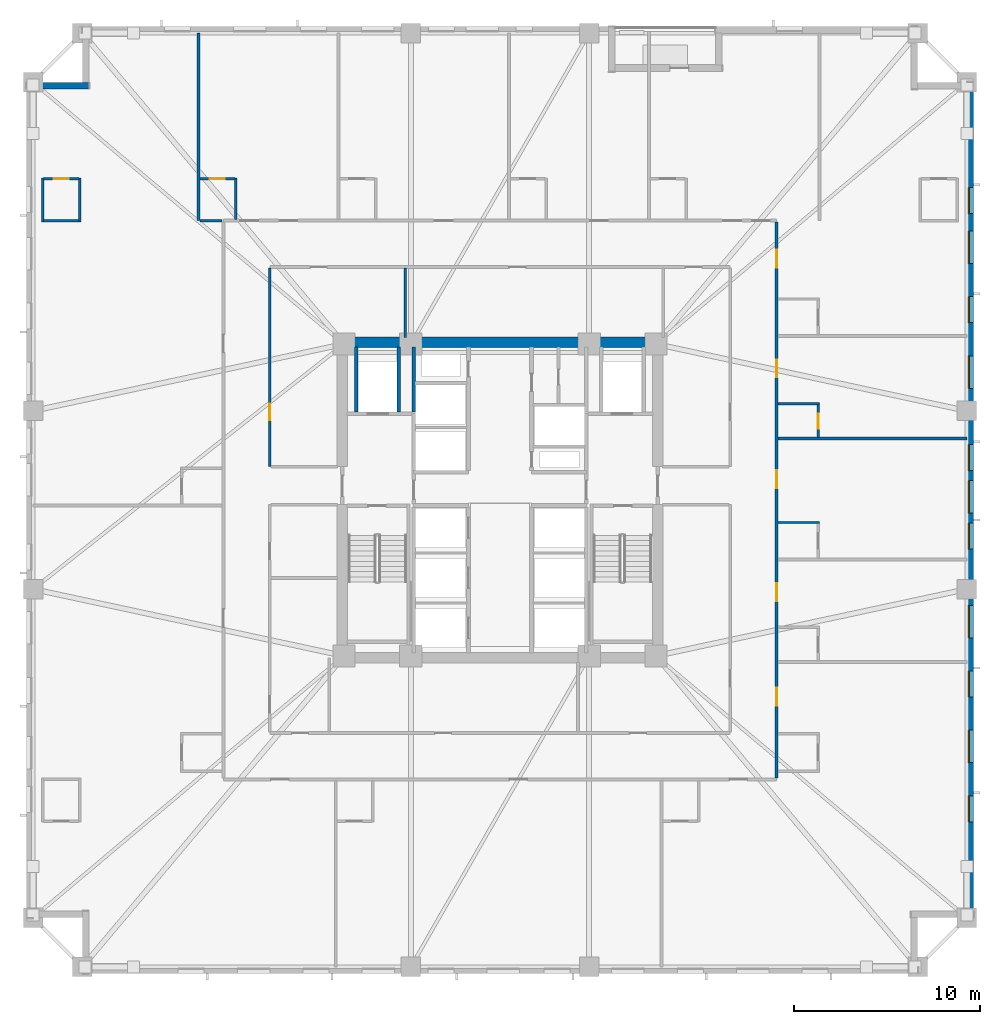
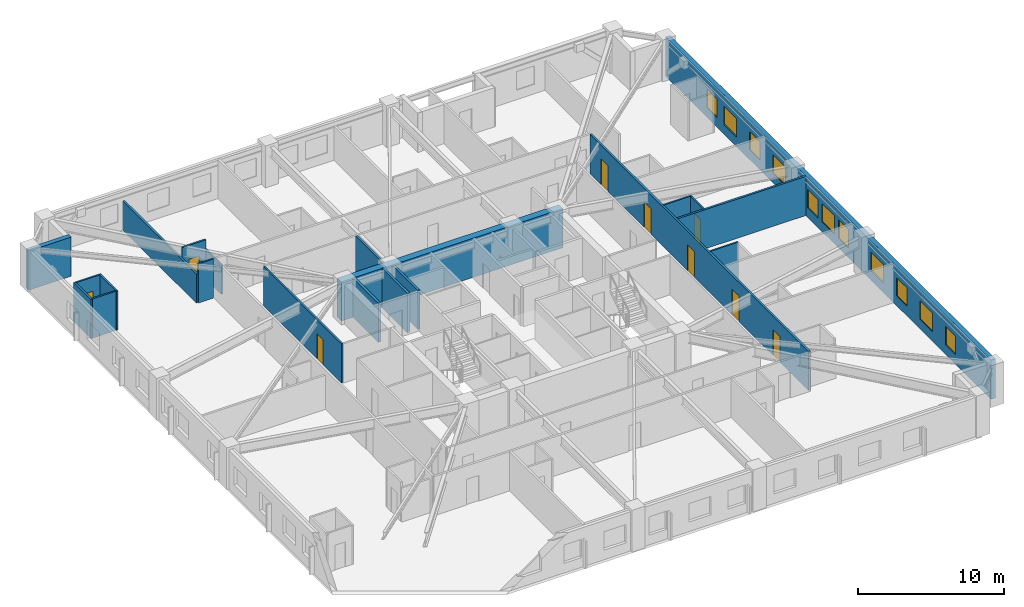
# One storey, part 5 of 12: 21 walls, 11 windows, 9 doors, 20 openings.
"""IFC4 building model written with IfcOpenShell, lengths in metres."""

import ifcopenshell
import ifcopenshell.guid

model = None  # the IFC model being written
_history = None  # IfcOwnerHistory: only IFC2X3 demands one
_inside = {}  # id of a spatial element -> (the spatial element, [elements in it])
_under = {}  # id of a project, library or spatial element -> (it, [spatial elements below it])
_declared = {}  # id of a project -> (the project, [libraries it declares])
_typed = {}  # id of a type object -> (the type object, [elements of that type])
_made_of = {}  # id of a material, layer set ... -> (it, [elements and type objects made of it])


def new_model(schema):
    """Start an empty IFC model of exactly this schema.

    Asked for "IFC4X3", IfcOpenShell would pick the latest addendum, in which some entities
    have other attributes; the version numbers below select the first issue.
    IFC2X3 requires an IfcOwnerHistory on every rooted entity: one is made here for all.
    """
    global model, _history
    if schema == "IFC4X3":
        model = ifcopenshell.file(schema_version=(4, 3, 0, 0))
    else:
        model = ifcopenshell.file(schema=schema)
    _inside.clear()
    _under.clear()
    _declared.clear()
    _typed.clear()
    _made_of.clear()
    _history = None
    if model.schema == "IFC2X3":
        org = make("IfcOrganization", Name="unknown")
        user = make(
            "IfcPersonAndOrganization",
            ThePerson=make("IfcPerson", FamilyName="unknown"),
            TheOrganization=org,
        )
        app = make(
            "IfcApplication",
            ApplicationDeveloper=org,
            Version="unknown",
            ApplicationFullName="unknown",
            ApplicationIdentifier="unknown",
        )
        _history = make(
            "IfcOwnerHistory",
            OwningUser=user,
            OwningApplication=app,
            ChangeAction="ADDED",
            CreationDate=0,
        )
    return model


def make(cls, **values):
    """One entity of the class cls with the attributes given. An attribute that is None is left unset."""
    return model.create_entity(
        cls, **{name: value for name, value in values.items() if value is not None}
    )


def rooted(cls, **values):
    """An entity with a GlobalId (a new one), such as an element, a storey or a relation."""
    return make(cls, GlobalId=ifcopenshell.guid.new(), OwnerHistory=_history, **values)


def si_unit(unit_type, name, prefix=None):
    """IfcSIUnit, for example si_unit("LENGTHUNIT", "METRE", prefix="MILLI")."""
    return make("IfcSIUnit", UnitType=unit_type, Prefix=prefix, Name=name)


def assignment(units):
    """IfcUnitAssignment: the units of a project."""
    return None if units is None else make("IfcUnitAssignment", Units=units)


def point(xyz):
    """IfcCartesianPoint."""
    return None if xyz is None else make("IfcCartesianPoint", Coordinates=xyz)


def direction(xyz):
    """IfcDirection."""
    return None if xyz is None else make("IfcDirection", DirectionRatios=xyz)


def frame(location, z_axis=None, x_axis=None):
    """IfcAxis2Placement3D, a coordinate frame: its origin and axes. An axis left out is left unset."""
    return make(
        "IfcAxis2Placement3D",
        Location=point(location),
        Axis=direction(z_axis),
        RefDirection=direction(x_axis),
    )


def frame_2d(location, x_axis=None):
    """IfcAxis2Placement2D, a coordinate frame in the plane: its origin and x axis."""
    return make(
        "IfcAxis2Placement2D", Location=point(location), RefDirection=direction(x_axis)
    )


def origin():
    """The frame at (0, 0, 0) with its axes left unset."""
    return frame((0.0, 0.0, 0.0))


def place(relative_to, where):
    """IfcLocalPlacement: puts the frame where relative to a parent placement (None: the world)."""
    return make(
        "IfcLocalPlacement", PlacementRelTo=relative_to, RelativePlacement=where
    )


def context(
    kind, dimensions, precision=None, world=None, true_north=None, identifier=None
):
    """IfcGeometricRepresentationContext, for example the 3D "Model" context."""
    return make(
        "IfcGeometricRepresentationContext",
        ContextIdentifier=identifier,
        ContextType=kind,
        CoordinateSpaceDimension=dimensions,
        Precision=precision,
        WorldCoordinateSystem=world,
        TrueNorth=true_north,
    )


def subcontext(parent, identifier, kind, view, scale=None):
    """IfcGeometricRepresentationSubContext, for example "Body" below "Model"."""
    return make(
        "IfcGeometricRepresentationSubContext",
        ContextIdentifier=identifier,
        ContextType=kind,
        ParentContext=parent,
        TargetScale=scale,
        TargetView=view,
    )


def project(units=None, contexts=None):
    """IfcProject with its units and contexts."""
    return rooted(
        "IfcProject",
        Name="project",
        RepresentationContexts=contexts,
        UnitsInContext=assignment(units),
    )


def spatial(cls, under=None, at=None, **own):
    """A site, building, storey or space (cls), placed at a placement, below another one or the project."""
    s = rooted(cls, ObjectPlacement=at, **own)
    if under is not None:
        _under.setdefault(under.id(), (under, []))[1].append(s)
    return s


def profile(cls, at=None, kind="AREA", **sizes):
    """A parametric profile (cls). Its sizes go by their IFC names, for example OverallWidth=200.0."""
    return make(cls, ProfileType=kind, Position=at, **sizes)


def rectangle(**sizes):
    """IfcRectangleProfileDef."""
    return profile("IfcRectangleProfileDef", **sizes)


def extrude(swept, where, along, depth):
    """IfcExtrudedAreaSolid: the profile swept, set in the frame where, extruded along a direction by depth."""
    return make(
        "IfcExtrudedAreaSolid",
        SweptArea=swept,
        Position=where,
        ExtrudedDirection=direction(along),
        Depth=depth,
    )


def shape(context_of_items, identifier, shape_type, items):
    """IfcShapeRepresentation: the items that make up one representation, for example the "Body"."""
    return make(
        "IfcShapeRepresentation",
        ContextOfItems=context_of_items,
        RepresentationIdentifier=identifier,
        RepresentationType=shape_type,
        Items=items,
    )


def material(Name=None, Category=None):
    """IfcMaterial."""
    return make("IfcMaterial", Name=Name, Category=Category)


def layer(
    of_material, thickness, ventilated=None, Name=None, Category=None, Priority=None
):
    """IfcMaterialLayer: one layer of a wall or slab, of a material (None: an air gap)."""
    return make(
        "IfcMaterialLayer",
        Material=of_material,
        LayerThickness=thickness,
        IsVentilated=ventilated,
        Name=Name,
        Category=Category,
        Priority=Priority,
    )


def layer_set(layers, Name=None):
    """IfcMaterialLayerSet."""
    return make("IfcMaterialLayerSet", MaterialLayers=layers, LayerSetName=Name)


def made_of(thing, what):
    """Note that an element or type object is made of a material, layer set ...; save() writes the relation."""
    if what is not None:
        _made_of.setdefault(what.id(), (what, []))[1].append(thing)
    return thing


def type_object(cls, material=None, **own):
    """A type object (cls), such as IfcWallType, which elements share."""
    return made_of(rooted(cls, **own), material)


def element(
    cls,
    number,
    at=None,
    inside=None,
    cuts=None,
    type_object=None,
    material=None,
    context=None,
    identifier="Body",
    shape_type=None,
    held_by="IfcProductDefinitionShape",
    body=None,
    shapes=None,
    **own,
):
    """One element of the class cls, such as IfcWall. Its Tag is "e" and its number.

    at: its placement. inside: the storey or other place that contains it. cuts: it is an
    opening in that element (IfcRelVoidsElement). A single representation is given by context,
    identifier, shape_type and body (its items); several are given by shapes. held_by: the class
    of the entity that holds the representations. save() writes the other relations.
    """
    e = rooted(cls, Tag="e%d" % number, ObjectPlacement=at, **own)
    if body is not None:
        shapes = [shape(context, identifier, shape_type, body)]
    if shapes is not None:
        e.Representation = make(held_by, Representations=shapes)
    if inside is not None:
        _inside.setdefault(inside.id(), (inside, []))[1].append(e)
    if cuts is not None:
        rooted(
            "IfcRelVoidsElement", RelatingBuildingElement=cuts, RelatedOpeningElement=e
        )
    if type_object is not None:
        _typed.setdefault(type_object.id(), (type_object, []))[1].append(e)
    return made_of(e, material)


def fill(opening, filler):
    """IfcRelFillsElement: the door or window that sits in an opening."""
    return rooted(
        "IfcRelFillsElement",
        RelatingOpeningElement=opening,
        RelatedBuildingElement=filler,
    )


def aggregate(whole, parts):
    """IfcRelAggregates: a whole, such as a stair, and the parts it consists of."""
    return rooted("IfcRelAggregates", RelatingObject=whole, RelatedObjects=parts)


def save(model, path):
    """Write the relations noted so far, then the file.

    IfcRelAggregates (storeys below a building ...), IfcRelContainedInSpatialStructure (elements
    in a storey), IfcRelDefinesByType, IfcRelAssociatesMaterial and IfcRelDeclares: one each for
    every whole, place, type object, material and project.
    """
    for whole, parts in _under.values():
        aggregate(whole, parts)
    for where, things in _inside.values():
        rooted(
            "IfcRelContainedInSpatialStructure",
            RelatedElements=things,
            RelatingStructure=where,
        )
    for kind, things in _typed.values():
        rooted("IfcRelDefinesByType", RelatedObjects=things, RelatingType=kind)
    for what, things in _made_of.values():
        rooted("IfcRelAssociatesMaterial", RelatedObjects=things, RelatingMaterial=what)
    for by, libraries in _declared.values():
        rooted("IfcRelDeclares", RelatingContext=by, RelatedDefinitions=libraries)
    model.write(path)


model = new_model("IFC4")

# Units and contexts
model_context = context("Model", 3, precision=1e-05, world=origin(), true_north=direction((0.0, 1.0)))
body_context = subcontext(model_context, "Body", "Model", "MODEL_VIEW")
ifc_project = project(units=[si_unit("LENGTHUNIT", "METRE"), si_unit("AREAUNIT", "SQUARE_METRE"), si_unit("VOLUMEUNIT", "CUBIC_METRE"), si_unit("PLANEANGLEUNIT", "RADIAN"), si_unit("MASSUNIT", "GRAM", prefix="KILO")], contexts=[model_context])

# Site, building, storey
site_placement = place(None, origin())
site = spatial("IfcSite", under=ifc_project, at=site_placement, CompositionType="ELEMENT")
building_placement = place(site_placement, origin())
building = spatial("IfcBuilding", under=site, at=building_placement, Name="Cairnveth Concourse Tower", CompositionType="ELEMENT")
storey_placement = place(building_placement, frame((0.0, 0.0, 90.0)))
storey = spatial("IfcBuildingStorey", under=building, at=storey_placement, Name="L24", CompositionType="ELEMENT", Elevation=90.0)

# Wall, openings, doors
ifc_material_1 = material(Name="Gypsum Plasterboard Partition", Category="gypsum")
ifc_layer_1 = layer(ifc_material_1, 0.159912109375)
ifc_layer_set_1 = layer_set([ifc_layer_1], Name="Gypsum Plasterboard Partition")
wall_type_1 = type_object("IfcWallType", Name="ACOUSTIC PARTY WALL 180", PredefinedType="PARTITIONING", material=ifc_layer_set_1)
wall_1_placement = place(storey_placement, frame((66.89990234375, 24.014892578125, 0.0), z_axis=(0.0, 0.0, 1.0), x_axis=(0.0, 1.0, 0.0)))
wall_1 = element("IfcWall", 1, at=wall_1_placement, inside=storey, type_object=wall_type_1, Name="Interior Wall IW-L24-041", PredefinedType="PARTITIONING", context=body_context, shape_type="SweptSolid", body=[
    extrude(rectangle(XDim=29.97021484375, YDim=0.159912109375, at=frame_2d((14.985107421875, 0.0))), origin(), (0.0, 0.0, 1.0), 3.280029296875),
])
opening_1_placement = place(wall_1_placement, frame((3.911376953125, 0.0, 0.0)))
opening_1 = element("IfcOpeningElement", 2, at=opening_1_placement, cuts=wall_1, Name="Opening ID09", PredefinedType="OPENING", context=body_context, shape_type="SweptSolid", body=[
    extrude(rectangle(XDim=0.9599609375, YDim=2.14990234375, at=frame_2d((0.47998046875, 1.074951171875))), frame((0.0, 0.08984375, 0.0), z_axis=(0.0, -1.0, 0.0), x_axis=(1.0, 0.0, 0.0)), (0.0, 0.0, 1.0), 0.179931640625),
])
opening_2_placement = place(wall_1_placement, frame((9.544189453125, 0.0, 0.0)))
opening_2 = element("IfcOpeningElement", 3, at=opening_2_placement, cuts=wall_1, Name="Opening ID09", PredefinedType="OPENING", context=body_context, shape_type="SweptSolid", body=[
    extrude(rectangle(XDim=0.9599609375, YDim=2.14990234375, at=frame_2d((0.47998046875, 1.074951171875))), frame((0.0, 0.08984375, 0.0), z_axis=(0.0, -1.0, 0.0), x_axis=(1.0, 0.0, 0.0)), (0.0, 0.0, 1.0), 0.179931640625),
])
opening_3_placement = place(wall_1_placement, frame((15.625, 0.0, 0.0)))
opening_3 = element("IfcOpeningElement", 4, at=opening_3_placement, cuts=wall_1, Name="Opening ID09", PredefinedType="OPENING", context=body_context, shape_type="SweptSolid", body=[
    extrude(rectangle(XDim=0.9599609375, YDim=2.14990234375, at=frame_2d((0.47998046875, 1.074951171875))), frame((0.0, 0.08984375, 0.0), z_axis=(0.0, -1.0, 0.0), x_axis=(1.0, 0.0, 0.0)), (0.0, 0.0, 1.0), 0.179931640625),
])
opening_4_placement = place(wall_1_placement, frame((21.584228515625, 0.0, 0.0)))
opening_4 = element("IfcOpeningElement", 5, at=opening_4_placement, cuts=wall_1, Name="Opening ID09", PredefinedType="OPENING", context=body_context, shape_type="SweptSolid", body=[
    extrude(rectangle(XDim=0.9599609375, YDim=2.14990234375, at=frame_2d((0.47998046875, 1.074951171875))), frame((0.0, 0.08984375, 0.0), z_axis=(0.0, -1.0, 0.0), x_axis=(1.0, 0.0, 0.0)), (0.0, 0.0, 1.0), 0.179931640625),
])
opening_5_placement = place(wall_1_placement, frame((27.49365234375, 0.0, 0.0)))
opening_5 = element("IfcOpeningElement", 6, at=opening_5_placement, cuts=wall_1, Name="Opening ID09", PredefinedType="OPENING", context=body_context, shape_type="SweptSolid", body=[
    extrude(rectangle(XDim=0.9599609375, YDim=2.14990234375, at=frame_2d((0.47998046875, 1.074951171875))), frame((0.0, 0.08984375, 0.0), z_axis=(0.0, -1.0, 0.0), x_axis=(1.0, 0.0, 0.0)), (0.0, 0.0, 1.0), 0.179931640625),
])
ifc_material_2 = material(Name="Solid Core Hardwood Timber Leaf", Category="wood")
door_type_1 = type_object("IfcDoorType", Name="HOTEL ENTRANCE DOOR 960X2150", OperationType="NOTDEFINED", PredefinedType="DOOR", material=ifc_material_2)
door_1_placement = place(opening_1_placement, origin())
door_1 = element("IfcDoor", 7, at=door_1_placement, inside=storey, type_object=door_type_1, Name="Hotel Room Door L24-E1", OperationType="SINGLE_SWING_RIGHT", OverallHeight=2.14990234375, OverallWidth=0.9599609375, PredefinedType="DOOR", context=body_context, shape_type="SweptSolid", body=[
    extrude(rectangle(XDim=0.9599609375, YDim=2.14990234375, at=frame_2d((0.47998046875, 1.074951171875))), frame((0.0, 0.02490234375, 0.0), z_axis=(0.0, -1.0, 0.0), x_axis=(1.0, 0.0, 0.0)), (0.0, 0.0, 1.0), 0.050048828125),
])
fill(opening_1, door_1)
door_2_placement = place(opening_2_placement, origin())
door_2 = element("IfcDoor", 8, at=door_2_placement, inside=storey, type_object=door_type_1, Name="Hotel Room Door L24-E2", OperationType="SINGLE_SWING_RIGHT", OverallHeight=2.14990234375, OverallWidth=0.9599609375, PredefinedType="DOOR", context=body_context, shape_type="SweptSolid", body=[
    extrude(rectangle(XDim=0.9599609375, YDim=2.14990234375, at=frame_2d((0.47998046875, 1.074951171875))), frame((0.0, 0.02490234375, 0.0), z_axis=(0.0, -1.0, 0.0), x_axis=(1.0, 0.0, 0.0)), (0.0, 0.0, 1.0), 0.050048828125),
])
fill(opening_2, door_2)
door_3_placement = place(opening_3_placement, origin())
door_3 = element("IfcDoor", 9, at=door_3_placement, inside=storey, type_object=door_type_1, Name="Hotel Room Door L24-E3", OperationType="SINGLE_SWING_RIGHT", OverallHeight=2.14990234375, OverallWidth=0.9599609375, PredefinedType="DOOR", context=body_context, shape_type="SweptSolid", body=[
    extrude(rectangle(XDim=0.9599609375, YDim=2.14990234375, at=frame_2d((0.47998046875, 1.074951171875))), frame((0.0, 0.02490234375, 0.0), z_axis=(0.0, -1.0, 0.0), x_axis=(1.0, 0.0, 0.0)), (0.0, 0.0, 1.0), 0.050048828125),
])
fill(opening_3, door_3)
door_4_placement = place(opening_4_placement, origin())
door_4 = element("IfcDoor", 10, at=door_4_placement, inside=storey, type_object=door_type_1, Name="Hotel Room Door L24-E4", OperationType="SINGLE_SWING_RIGHT", OverallHeight=2.14990234375, OverallWidth=0.9599609375, PredefinedType="DOOR", context=body_context, shape_type="SweptSolid", body=[
    extrude(rectangle(XDim=0.9599609375, YDim=2.14990234375, at=frame_2d((0.47998046875, 1.074951171875))), frame((0.0, 0.02490234375, 0.0), z_axis=(0.0, -1.0, 0.0), x_axis=(1.0, 0.0, 0.0)), (0.0, 0.0, 1.0), 0.050048828125),
])
fill(opening_4, door_4)
door_5_placement = place(opening_5_placement, origin())
door_5 = element("IfcDoor", 11, at=door_5_placement, inside=storey, type_object=door_type_1, Name="Hotel Room Door L24-E5", OperationType="SINGLE_SWING_RIGHT", OverallHeight=2.14990234375, OverallWidth=0.9599609375, PredefinedType="DOOR", context=body_context, shape_type="SweptSolid", body=[
    extrude(rectangle(XDim=0.9599609375, YDim=2.14990234375, at=frame_2d((0.47998046875, 1.074951171875))), frame((0.0, 0.02490234375, 0.0), z_axis=(0.0, -1.0, 0.0), x_axis=(1.0, 0.0, 0.0)), (0.0, 0.0, 1.0), 0.050048828125),
])
fill(opening_5, door_5)

# Walls
wall_2_placement = place(storey_placement, frame((35.767578125, 54.050048828125, 0.0), z_axis=(0.0, 0.0, 1.0), x_axis=(0.0, 1.0, 0.0)))
element("IfcWall", 12, at=wall_2_placement, inside=storey, type_object=wall_type_1, Name="Interior Wall IW-L24-071", PredefinedType="PARTITIONING", context=body_context, shape_type="SweptSolid", body=[
    extrude(rectangle(XDim=10.10498046875, YDim=0.159912109375, at=frame_2d((5.052490234375, 0.0))), origin(), (0.0, 0.0, 1.0), 2.43896484375),
])
wall_3_placement = place(storey_placement, frame((66.965087890625, 42.302490234375, 0.0), z_axis=(0.0, 0.0, 1.0), x_axis=(1.0, 0.0, 0.0)))
element("IfcWall", 13, at=wall_3_placement, inside=storey, type_object=wall_type_1, Name="Interior Wall IW-L24-104", PredefinedType="PARTITIONING", context=body_context, shape_type="SweptSolid", body=[
    extrude(rectangle(XDim=10.18994140625, YDim=0.159912109375, at=frame_2d((5.094970703125, 0.0))), origin(), (0.0, 0.0, 1.0), 3.280029296875),
])
ifc_material_3 = material(Name="Concrete N80 (80 MPa)", Category="concrete")
ifc_layer_2 = layer(ifc_material_3, 0.550048828125)
ifc_layer_set_2 = layer_set([ifc_layer_2], Name="Concrete N80 (80 MPa)")
wall_type_2 = type_object("IfcWallType", Name="CORE SHEAR WALL 550", PredefinedType="SHEAR", material=ifc_layer_set_2)
wall_4_placement = place(storey_placement, frame((43.22509765625, 47.5, 0.0), z_axis=(0.0, 0.0, 1.0), x_axis=(1.0, 0.0, 0.0)))
element("IfcWall", 14, at=wall_4_placement, inside=storey, type_object=wall_type_2, Name="Core North Shear Wall L24", PredefinedType="SHEAR", context=body_context, shape_type="SweptSolid", body=[
    extrude(rectangle(XDim=17.5498046875, YDim=0.550048828125, at=frame_2d((8.77490234375, 0.0))), origin(), (0.0, 0.0, 1.0), 3.280029296875),
])
ifc_material_4 = material(Name="Concrete N50 (50 MPa)", Category="concrete")
ifc_layer_3 = layer(ifc_material_4, 0.179931640625)
ifc_layer_set_3 = layer_set([ifc_layer_3], Name="Concrete N50 (50 MPa)")
wall_type_3 = type_object("IfcWallType", Name="FIRE SHAFT WALL 180", PredefinedType="SOLIDWALL", material=ifc_layer_set_3)
wall_5_placement = place(storey_placement, frame((47.35009765625, 43.735107421875, 0.0), z_axis=(0.0, 0.0, 1.0), x_axis=(0.0, 1.0, 0.0)))
element("IfcWall", 15, at=wall_5_placement, inside=storey, type_object=wall_type_3, Name="Interior Wall IW-L24-031", PredefinedType="SOLIDWALL", context=body_context, shape_type="SweptSolid", body=[
    extrude(rectangle(XDim=3.5048828125, YDim=0.179931640625, at=frame_2d((1.75244140625, 0.0))), origin(), (0.0, 0.0, 1.0), 3.280029296875),
])
ifc_layer_4 = layer(ifc_material_4, 0.199951171875)
ifc_layer_set_4 = layer_set([ifc_layer_4], Name="Concrete N50 (50 MPa)")
wall_type_4 = type_object("IfcWallType", Name="FIRE SHAFT WALL 200", PredefinedType="SOLIDWALL", material=ifc_layer_set_4)
for number, where, z_axis, x_axis, name in (
    (16, (46.550048828125, 43.735107421875, 0.0), (0.0, 0.0, 1.0), (0.0, 1.0, 0.0), "Interior Wall IW-L24-018"),
    (17, (44.25, 43.735107421875, 0.0), (0.0, 0.0, 1.0), (0.0, 1.0, 0.0), "Interior Wall IW-L24-019"),
):
    element("IfcWall", number, at=place(storey_placement, frame(where, z_axis=z_axis, x_axis=x_axis)), inside=storey, type_object=wall_type_4, Name=name, PredefinedType="SOLIDWALL", context=body_context, shape_type="SweptSolid", body=[
        extrude(rectangle(XDim=3.5048828125, YDim=0.199951171875, at=frame_2d((1.75244140625, 0.0))), origin(), (0.0, 0.0, 1.0), 3.280029296875),
    ])

# Wall, opening, door
ifc_layer_5 = layer(ifc_material_1, 0.139892578125)
ifc_layer_set_5 = layer_set([ifc_layer_5], Name="Gypsum Plasterboard Partition")
wall_type_5 = type_object("IfcWallType", Name="GYPSUM STUD PARTITION 140", PredefinedType="PARTITIONING", material=ifc_layer_set_5)
wall_6_placement = place(storey_placement, frame((39.60009765625, 40.800048828125, 0.0), z_axis=(0.0, 0.0, 1.0), x_axis=(0.0, 1.0, 0.0)))
wall_6 = element("IfcWall", 18, at=wall_6_placement, inside=storey, type_object=wall_type_5, Name="Interior Wall IW-L24-045", PredefinedType="PARTITIONING", context=body_context, shape_type="SweptSolid", body=[
    extrude(rectangle(XDim=10.695068359375, YDim=0.139892578125, at=frame_2d((5.34765625, 0.0))), origin(), (0.0, 0.0, 1.0), 3.280029296875),
])
opening_6_placement = place(wall_6_placement, frame((2.5, 0.0, 0.0)))
opening_6 = element("IfcOpeningElement", 19, at=opening_6_placement, cuts=wall_6, Name="Opening ID18", PredefinedType="OPENING", context=body_context, shape_type="SweptSolid", body=[
    extrude(rectangle(XDim=0.8798828125, YDim=2.10009765625, at=frame_2d((0.43994140625, 1.050048828125))), frame((0.0, 0.079833984375, 0.0), z_axis=(0.0, -1.0, 0.0), x_axis=(1.0, 0.0, 0.0)), (0.0, 0.0, 1.0), 0.159912109375),
])
door_type_2 = type_object("IfcDoorType", Name="INTERIOR SINGLE DOOR 880X2100", OperationType="NOTDEFINED", PredefinedType="DOOR", material=ifc_material_2)
door_6_placement = place(opening_6_placement, origin())
door_6 = element("IfcDoor", 20, at=door_6_placement, inside=storey, type_object=door_type_2, Name="Interior Door DR-L24-022", OperationType="SINGLE_SWING_RIGHT", OverallHeight=2.10009765625, OverallWidth=0.8798828125, PredefinedType="DOOR", context=body_context, shape_type="SweptSolid", body=[
    extrude(rectangle(XDim=0.8798828125, YDim=2.10009765625, at=frame_2d((0.43994140625, 1.050048828125))), frame((0.0, 0.02490234375, 0.0), z_axis=(0.0, -1.0, 0.0), x_axis=(1.0, 0.0, 0.0)), (0.0, 0.0, 1.0), 0.050048828125),
])
fill(opening_6, door_6)

# Walls
wall_7_placement = place(storey_placement, frame((46.89990234375, 47.760009765625, 0.0), z_axis=(0.0, 0.0, 1.0), x_axis=(0.0, 1.0, 0.0)))
element("IfcWall", 21, at=wall_7_placement, inside=storey, type_object=wall_type_5, Name="Interior Wall IW-L24-054", PredefinedType="PARTITIONING", context=body_context, shape_type="SweptSolid", body=[
    extrude(rectangle(XDim=3.735107421875, YDim=0.139892578125, at=frame_2d((1.86767578125, 0.0))), origin(), (0.0, 0.0, 1.0), 3.280029296875),
])
ifc_layer_6 = layer(ifc_material_1, 0.1298828125)
ifc_layer_set_6 = layer_set([ifc_layer_6], Name="Gypsum Plasterboard Partition")
wall_type_6 = type_object("IfcWallType", Name="WET AREA PARTITION 140", PredefinedType="PLUMBINGWALL", material=ifc_layer_set_6)
for number, where, z_axis, x_axis, name in (
    (22, (27.3701171875, 53.969970703125, 0.0), (0.0, 0.0, 1.0), (0.0, 1.0, 0.0), "Interior Wall IW-L24-067"),
    (23, (29.3701171875, 53.969970703125, 0.0), (0.0, 0.0, 1.0), (0.0, 1.0, 0.0), "Interior Wall IW-L24-068"),
):
    element("IfcWall", number, at=place(storey_placement, frame(where, z_axis=z_axis, x_axis=x_axis)), inside=storey, type_object=wall_type_6, Name=name, PredefinedType="PLUMBINGWALL", context=body_context, shape_type="SweptSolid", body=[
        extrude(rectangle(XDim=2.380126953125, YDim=0.1298828125, at=frame_2d((1.18994140625, 0.0))), origin(), (0.0, 0.0, 1.0), 3.280029296875),
    ])

# Wall, opening, door
wall_8_placement = place(storey_placement, frame((27.419921875, 56.300048828125, 0.0), z_axis=(0.0, 0.0, 1.0), x_axis=(1.0, 0.0, 0.0)))
wall_8 = element("IfcWall", 24, at=wall_8_placement, inside=storey, type_object=wall_type_6, Name="Interior Wall IW-L24-069", PredefinedType="PLUMBINGWALL", context=body_context, shape_type="SweptSolid", body=[
    extrude(rectangle(XDim=1.900146484375, YDim=0.1298828125, at=frame_2d((0.9501953125, 0.0))), origin(), (0.0, 0.0, 1.0), 3.280029296875),
])
opening_7_placement = place(wall_8_placement, frame((0.5400390625, 0.0, 0.0)))
opening_7 = element("IfcOpeningElement", 25, at=opening_7_placement, cuts=wall_8, Name="Opening ID22", PredefinedType="OPENING", context=body_context, shape_type="SweptSolid", body=[
    extrude(rectangle(XDim=0.820068359375, YDim=2.10009765625, at=frame_2d((0.41015625, 1.050048828125))), frame((0.0, 0.074951171875, 0.0), z_axis=(0.0, -1.0, 0.0), x_axis=(1.0, 0.0, 0.0)), (0.0, 0.0, 1.0), 0.14990234375),
])
door_type_3 = type_object("IfcDoorType", Name="INTERIOR WC DOOR 820X2100", OperationType="NOTDEFINED", PredefinedType="DOOR", material=ifc_material_2)
door_7_placement = place(opening_7_placement, origin())
door_7 = element("IfcDoor", 26, at=door_7_placement, inside=storey, type_object=door_type_3, Name="En-Suite Door L24-N1", OperationType="SINGLE_SWING_LEFT", OverallHeight=2.10009765625, OverallWidth=0.820068359375, PredefinedType="DOOR", context=body_context, shape_type="SweptSolid", body=[
    extrude(rectangle(XDim=0.820068359375, YDim=2.10009765625, at=frame_2d((0.41015625, 1.050048828125))), frame((0.0, 0.02490234375, 0.0), z_axis=(0.0, -1.0, 0.0), x_axis=(1.0, 0.0, 0.0)), (0.0, 0.0, 1.0), 0.050048828125),
])
fill(opening_7, door_7)

# Walls
wall_9_placement = place(storey_placement, frame((27.419921875, 54.050048828125, 0.0), z_axis=(0.0, 0.0, 1.0), x_axis=(1.0, 0.0, 0.0)))
element("IfcWall", 27, at=wall_9_placement, inside=storey, type_object=wall_type_6, Name="Interior Wall IW-L24-070", PredefinedType="PLUMBINGWALL", context=body_context, shape_type="SweptSolid", body=[
    extrude(rectangle(XDim=1.900146484375, YDim=0.1298828125, at=frame_2d((0.9501953125, 0.0))), origin(), (0.0, 0.0, 1.0), 3.280029296875),
])
wall_10_placement = place(storey_placement, frame((37.767578125, 54.114990234375, 0.0), z_axis=(0.0, 0.0, 1.0), x_axis=(0.0, 1.0, 0.0)))
element("IfcWall", 28, at=wall_10_placement, inside=storey, type_object=wall_type_6, Name="Interior Wall IW-L24-072", PredefinedType="PLUMBINGWALL", context=body_context, shape_type="SweptSolid", body=[
    extrude(rectangle(XDim=2.235107421875, YDim=0.1298828125, at=frame_2d((1.11767578125, 0.0))), origin(), (0.0, 0.0, 1.0), 2.43896484375),
])

# Wall, opening, door
wall_11_placement = place(storey_placement, frame((35.83251953125, 56.300048828125, 0.0), z_axis=(0.0, 0.0, 1.0), x_axis=(1.0, 0.0, 0.0)))
wall_11 = element("IfcWall", 29, at=wall_11_placement, inside=storey, type_object=wall_type_6, Name="Interior Wall IW-L24-073", PredefinedType="PLUMBINGWALL", context=body_context, shape_type="SweptSolid", body=[
    extrude(rectangle(XDim=1.885009765625, YDim=0.1298828125, at=frame_2d((0.9423828125, 0.0))), origin(), (0.0, 0.0, 1.0), 3.280029296875),
])
opening_8_placement = place(wall_11_placement, frame((0.52490234375, 0.0, 0.0)))
opening_8 = element("IfcOpeningElement", 30, at=opening_8_placement, cuts=wall_11, Name="Opening ID22", PredefinedType="OPENING", context=body_context, shape_type="SweptSolid", body=[
    extrude(rectangle(XDim=0.820068359375, YDim=2.10009765625, at=frame_2d((0.41015625, 1.050048828125))), frame((0.0, 0.074951171875, 0.0), z_axis=(0.0, -1.0, 0.0), x_axis=(1.0, 0.0, 0.0)), (0.0, 0.0, 1.0), 0.14990234375),
])
door_8_placement = place(opening_8_placement, origin())
door_8 = element("IfcDoor", 31, at=door_8_placement, inside=storey, type_object=door_type_3, Name="En-Suite Door L24-N2", OperationType="SINGLE_SWING_LEFT", OverallHeight=2.10009765625, OverallWidth=0.820068359375, PredefinedType="DOOR", context=body_context, shape_type="SweptSolid", body=[
    extrude(rectangle(XDim=0.820068359375, YDim=2.10009765625, at=frame_2d((0.41015625, 1.050048828125))), frame((0.0, 0.02490234375, 0.0), z_axis=(0.0, -1.0, 0.0), x_axis=(1.0, 0.0, 0.0)), (0.0, 0.0, 1.0), 0.050048828125),
])
fill(opening_8, door_8)

# Walls
wall_12_placement = place(storey_placement, frame((35.83251953125, 54.050048828125, 0.0), z_axis=(0.0, 0.0, 1.0), x_axis=(1.0, 0.0, 0.0)))
element("IfcWall", 32, at=wall_12_placement, inside=storey, type_object=wall_type_6, Name="Interior Wall IW-L24-074", PredefinedType="PLUMBINGWALL", context=body_context, shape_type="SweptSolid", body=[
    extrude(rectangle(XDim=1.1875, YDim=0.1298828125, at=frame_2d((0.59375, 0.0))), origin(), (0.0, 0.0, 1.0), 3.280029296875),
])
for number, where, z_axis, x_axis, name in (
    (33, (66.965087890625, 37.78759765625, 0.0), (0.0, 0.0, 1.0), (1.0, 0.0, 0.0), "Interior Wall IW-L24-102"),
    (34, (66.965087890625, 44.180908203125, 0.0), (0.0, 0.0, 1.0), (1.0, 0.0, 0.0), "Interior Wall IW-L24-105"),
):
    element("IfcWall", number, at=place(storey_placement, frame(where, z_axis=z_axis, x_axis=x_axis)), inside=storey, type_object=wall_type_6, Name=name, PredefinedType="PLUMBINGWALL", context=body_context, shape_type="SweptSolid", body=[
        extrude(rectangle(XDim=2.23486328125, YDim=0.1298828125, at=frame_2d((1.117431640625, 0.0))), origin(), (0.0, 0.0, 1.0), 3.280029296875),
    ])

# Wall, opening, door
wall_13_placement = place(storey_placement, frame((69.14990234375, 42.367431640625, 0.0), z_axis=(0.0, 0.0, 1.0), x_axis=(0.0, 1.0, 0.0)))
wall_13 = element("IfcWall", 35, at=wall_13_placement, inside=storey, type_object=wall_type_6, Name="Interior Wall IW-L24-106", PredefinedType="PLUMBINGWALL", context=body_context, shape_type="SweptSolid", body=[
    extrude(rectangle(XDim=1.763671875, YDim=0.1298828125, at=frame_2d((0.8818359375, 0.0))), origin(), (0.0, 0.0, 1.0), 3.280029296875),
])
opening_9_placement = place(wall_13_placement, frame((0.464111328125, 0.0, 0.0)))
opening_9 = element("IfcOpeningElement", 36, at=opening_9_placement, cuts=wall_13, Name="Opening ID22", PredefinedType="OPENING", context=body_context, shape_type="SweptSolid", body=[
    extrude(rectangle(XDim=0.820068359375, YDim=2.10009765625, at=frame_2d((0.41015625, 1.050048828125))), frame((0.0, 0.074951171875, 0.0), z_axis=(0.0, -1.0, 0.0), x_axis=(1.0, 0.0, 0.0)), (0.0, 0.0, 1.0), 0.14990234375),
])
door_9_placement = place(opening_9_placement, origin())
door_9 = element("IfcDoor", 37, at=door_9_placement, inside=storey, type_object=door_type_3, Name="En-Suite Door L24-E4", OperationType="SINGLE_SWING_LEFT", OverallHeight=2.10009765625, OverallWidth=0.820068359375, PredefinedType="DOOR", context=body_context, shape_type="SweptSolid", body=[
    extrude(rectangle(XDim=0.820068359375, YDim=2.10009765625, at=frame_2d((0.41015625, 1.050048828125))), frame((0.0, 0.02490234375, 0.0), z_axis=(0.0, -1.0, 0.0), x_axis=(1.0, 0.0, 0.0)), (0.0, 0.0, 1.0), 0.050048828125),
])
fill(opening_9, door_9)

# Wall, openings, windows
ifc_material_5 = material(Name="Hawthorn Red-Ochre Fired Clay Brick Masonry", Category="masonry")
ifc_layer_7 = layer(ifc_material_5, 0.360107421875)
ifc_layer_set_7 = layer_set([ifc_layer_7], Name="Hawthorn Red-Ochre Fired Clay Brick Masonry")
wall_type_7 = type_object("IfcWallType", Name="ZONE 1 BRICK PIER SPANDREL WALL 360", PredefinedType="SOLIDWALL", material=ifc_layer_set_7)
wall_14_placement = place(storey_placement, frame((77.320068359375, 61.5, 0.0), z_axis=(0.0, 0.0, 1.0), x_axis=(0.0, -1.0, 0.0)))
wall_14 = element("IfcWall", 38, at=wall_14_placement, inside=storey, type_object=wall_type_7, Name="Exterior Wall EW-L24-S03", PredefinedType="SOLIDWALL", context=body_context, shape_type="SweptSolid", body=[
    extrude(rectangle(XDim=44.662109375, YDim=0.360107421875, at=frame_2d((22.3310546875, 0.0))), origin(), (0.0, 0.0, 1.0), 3.280029296875),
])
opening_10_placement = place(wall_14_placement, frame((5.68017578125, 0.0, 0.800048828125)))
opening_10 = element("IfcOpeningElement", 39, at=opening_10_placement, cuts=wall_14, Name="Opening W05", PredefinedType="OPENING", context=body_context, shape_type="SweptSolid", body=[
    extrude(rectangle(XDim=1.39990234375, YDim=1.5439453125, at=frame_2d((0.699951171875, 0.77197265625))), frame((0.0, 0.18994140625, 0.0), z_axis=(0.0, -1.0, 0.0), x_axis=(1.0, 0.0, 0.0)), (0.0, 0.0, 1.0), 0.380126953125),
])
opening_11_placement = place(wall_14_placement, frame((8.015380859375, 0.0, 0.800048828125)))
opening_11 = element("IfcOpeningElement", 40, at=opening_11_placement, cuts=wall_14, Name="Opening W06", PredefinedType="OPENING", context=body_context, shape_type="SweptSolid", body=[
    extrude(rectangle(XDim=1.75, YDim=1.5439453125, at=frame_2d((0.875, 0.77197265625))), frame((0.0, 0.18994140625, 0.0), z_axis=(0.0, -1.0, 0.0), x_axis=(1.0, 0.0, 0.0)), (0.0, 0.0, 1.0), 0.380126953125),
])
opening_12_placement = place(wall_14_placement, frame((11.550537109375, 0.0, 0.800048828125)))
opening_12 = element("IfcOpeningElement", 41, at=opening_12_placement, cuts=wall_14, Name="Opening W05", PredefinedType="OPENING", context=body_context, shape_type="SweptSolid", body=[
    extrude(rectangle(XDim=1.39990234375, YDim=1.5439453125, at=frame_2d((0.699951171875, 0.77197265625))), frame((0.0, 0.18994140625, 0.0), z_axis=(0.0, -1.0, 0.0), x_axis=(1.0, 0.0, 0.0)), (0.0, 0.0, 1.0), 0.380126953125),
])
opening_13_placement = place(wall_14_placement, frame((14.735595703125, 0.0, 0.800048828125)))
opening_13 = element("IfcOpeningElement", 42, at=opening_13_placement, cuts=wall_14, Name="Opening W06", PredefinedType="OPENING", context=body_context, shape_type="SweptSolid", body=[
    extrude(rectangle(XDim=1.75, YDim=1.5439453125, at=frame_2d((0.875, 0.77197265625))), frame((0.0, 0.18994140625, 0.0), z_axis=(0.0, -1.0, 0.0), x_axis=(1.0, 0.0, 0.0)), (0.0, 0.0, 1.0), 0.380126953125),
])
opening_14_placement = place(wall_14_placement, frame((19.520751953125, 0.0, 0.800048828125)))
opening_14 = element("IfcOpeningElement", 43, at=opening_14_placement, cuts=wall_14, Name="Opening W05", PredefinedType="OPENING", context=body_context, shape_type="SweptSolid", body=[
    extrude(rectangle(XDim=1.39990234375, YDim=1.5439453125, at=frame_2d((0.699951171875, 0.77197265625))), frame((0.0, 0.18994140625, 0.0), z_axis=(0.0, -1.0, 0.0), x_axis=(1.0, 0.0, 0.0)), (0.0, 0.0, 1.0), 0.380126953125),
])
opening_15_placement = place(wall_14_placement, frame((21.4560546875, 0.0, 0.800048828125)))
opening_15 = element("IfcOpeningElement", 44, at=opening_15_placement, cuts=wall_14, Name="Opening W06", PredefinedType="OPENING", context=body_context, shape_type="SweptSolid", body=[
    extrude(rectangle(XDim=1.75, YDim=1.5439453125, at=frame_2d((0.875, 0.77197265625))), frame((0.0, 0.18994140625, 0.0), z_axis=(0.0, -1.0, 0.0), x_axis=(1.0, 0.0, 0.0)), (0.0, 0.0, 1.0), 0.380126953125),
])
opening_16_placement = place(wall_14_placement, frame((23.7412109375, 0.0, 0.800048828125)))
opening_16 = element("IfcOpeningElement", 45, at=opening_16_placement, cuts=wall_14, Name="Opening W05", PredefinedType="OPENING", context=body_context, shape_type="SweptSolid", body=[
    extrude(rectangle(XDim=1.39990234375, YDim=1.5439453125, at=frame_2d((0.699951171875, 0.77197265625))), frame((0.0, 0.18994140625, 0.0), z_axis=(0.0, -1.0, 0.0), x_axis=(1.0, 0.0, 0.0)), (0.0, 0.0, 1.0), 0.380126953125),
])
opening_17_placement = place(wall_14_placement, frame((28.176513671875, 0.0, 0.800048828125)))
opening_17 = element("IfcOpeningElement", 46, at=opening_17_placement, cuts=wall_14, Name="Opening W06", PredefinedType="OPENING", context=body_context, shape_type="SweptSolid", body=[
    extrude(rectangle(XDim=1.75, YDim=1.5439453125, at=frame_2d((0.875, 0.77197265625))), frame((0.0, 0.18994140625, 0.0), z_axis=(0.0, -1.0, 0.0), x_axis=(1.0, 0.0, 0.0)), (0.0, 0.0, 1.0), 0.380126953125),
])
opening_18_placement = place(wall_14_placement, frame((31.71142578125, 0.0, 0.800048828125)))
opening_18 = element("IfcOpeningElement", 47, at=opening_18_placement, cuts=wall_14, Name="Opening W05", PredefinedType="OPENING", context=body_context, shape_type="SweptSolid", body=[
    extrude(rectangle(XDim=1.39990234375, YDim=1.5439453125, at=frame_2d((0.699951171875, 0.77197265625))), frame((0.0, 0.18994140625, 0.0), z_axis=(0.0, -1.0, 0.0), x_axis=(1.0, 0.0, 0.0)), (0.0, 0.0, 1.0), 0.380126953125),
])
opening_19_placement = place(wall_14_placement, frame((34.896728515625, 0.0, 0.800048828125)))
opening_19 = element("IfcOpeningElement", 48, at=opening_19_placement, cuts=wall_14, Name="Opening W06", PredefinedType="OPENING", context=body_context, shape_type="SweptSolid", body=[
    extrude(rectangle(XDim=1.75, YDim=1.5439453125, at=frame_2d((0.875, 0.77197265625))), frame((0.0, 0.18994140625, 0.0), z_axis=(0.0, -1.0, 0.0), x_axis=(1.0, 0.0, 0.0)), (0.0, 0.0, 1.0), 0.380126953125),
])
opening_20_placement = place(wall_14_placement, frame((38.431884765625, 0.0, 0.800048828125)))
opening_20 = element("IfcOpeningElement", 49, at=opening_20_placement, cuts=wall_14, Name="Opening W05", PredefinedType="OPENING", context=body_context, shape_type="SweptSolid", body=[
    extrude(rectangle(XDim=1.39990234375, YDim=1.5439453125, at=frame_2d((0.699951171875, 0.77197265625))), frame((0.0, 0.18994140625, 0.0), z_axis=(0.0, -1.0, 0.0), x_axis=(1.0, 0.0, 0.0)), (0.0, 0.0, 1.0), 0.380126953125),
])
ifc_material_6 = material(Name="Double Glazed Low-E Clear Glass", Category="glass")
window_type_1 = type_object("IfcWindowType", Name="DEEP-SET HOTEL CASEMENT WINDOW 1400X1750", PartitioningType="DOUBLE_PANEL_VERTICAL", PredefinedType="WINDOW", material=ifc_material_6)
window_1_placement = place(opening_10_placement, origin())
window_1 = element("IfcWindow", 50, at=window_1_placement, inside=storey, type_object=window_type_1, Name="Gothic Lancet Window L24-3-1", OverallHeight=1.5439453125, OverallWidth=1.39990234375, PartitioningType="SINGLE_PANEL", PredefinedType="WINDOW", context=body_context, shape_type="SweptSolid", body=[
    extrude(rectangle(XDim=1.39990234375, YDim=1.5439453125, at=frame_2d((0.699951171875, 0.77197265625))), frame((0.0, -0.050048828125, 0.0), z_axis=(0.0, -1.0, 0.0), x_axis=(1.0, 0.0, 0.0)), (0.0, 0.0, 1.0), 0.06005859375),
])
fill(opening_10, window_1)
window_2_placement = place(opening_12_placement, origin())
window_2 = element("IfcWindow", 51, at=window_2_placement, inside=storey, type_object=window_type_1, Name="Gothic Lancet Window L24-3-3", OverallHeight=1.5439453125, OverallWidth=1.39990234375, PartitioningType="SINGLE_PANEL", PredefinedType="WINDOW", context=body_context, shape_type="SweptSolid", body=[
    extrude(rectangle(XDim=1.39990234375, YDim=1.5439453125, at=frame_2d((0.699951171875, 0.77197265625))), frame((0.0, -0.050048828125, 0.0), z_axis=(0.0, -1.0, 0.0), x_axis=(1.0, 0.0, 0.0)), (0.0, 0.0, 1.0), 0.06005859375),
])
fill(opening_12, window_2)
window_3_placement = place(opening_14_placement, origin())
window_3 = element("IfcWindow", 52, at=window_3_placement, inside=storey, type_object=window_type_1, Name="Gothic Lancet Window L24-3-5", OverallHeight=1.5439453125, OverallWidth=1.39990234375, PartitioningType="SINGLE_PANEL", PredefinedType="WINDOW", context=body_context, shape_type="SweptSolid", body=[
    extrude(rectangle(XDim=1.39990234375, YDim=1.5439453125, at=frame_2d((0.699951171875, 0.77197265625))), frame((0.0, -0.050048828125, 0.0), z_axis=(0.0, -1.0, 0.0), x_axis=(1.0, 0.0, 0.0)), (0.0, 0.0, 1.0), 0.06005859375),
])
fill(opening_14, window_3)
window_4_placement = place(opening_16_placement, origin())
window_4 = element("IfcWindow", 53, at=window_4_placement, inside=storey, type_object=window_type_1, Name="Gothic Lancet Window L24-3-7", OverallHeight=1.5439453125, OverallWidth=1.39990234375, PartitioningType="SINGLE_PANEL", PredefinedType="WINDOW", context=body_context, shape_type="SweptSolid", body=[
    extrude(rectangle(XDim=1.39990234375, YDim=1.5439453125, at=frame_2d((0.699951171875, 0.77197265625))), frame((0.0, -0.050048828125, 0.0), z_axis=(0.0, -1.0, 0.0), x_axis=(1.0, 0.0, 0.0)), (0.0, 0.0, 1.0), 0.06005859375),
])
fill(opening_16, window_4)
window_5_placement = place(opening_18_placement, origin())
window_5 = element("IfcWindow", 54, at=window_5_placement, inside=storey, type_object=window_type_1, Name="Gothic Lancet Window L24-3-9", OverallHeight=1.5439453125, OverallWidth=1.39990234375, PartitioningType="SINGLE_PANEL", PredefinedType="WINDOW", context=body_context, shape_type="SweptSolid", body=[
    extrude(rectangle(XDim=1.39990234375, YDim=1.5439453125, at=frame_2d((0.699951171875, 0.77197265625))), frame((0.0, -0.050048828125, 0.0), z_axis=(0.0, -1.0, 0.0), x_axis=(1.0, 0.0, 0.0)), (0.0, 0.0, 1.0), 0.06005859375),
])
fill(opening_18, window_5)
window_6_placement = place(opening_20_placement, origin())
window_6 = element("IfcWindow", 55, at=window_6_placement, inside=storey, type_object=window_type_1, Name="Gothic Lancet Window L24-3-11", OverallHeight=1.5439453125, OverallWidth=1.39990234375, PartitioningType="SINGLE_PANEL", PredefinedType="WINDOW", context=body_context, shape_type="SweptSolid", body=[
    extrude(rectangle(XDim=1.39990234375, YDim=1.5439453125, at=frame_2d((0.699951171875, 0.77197265625))), frame((0.0, -0.050048828125, 0.0), z_axis=(0.0, -1.0, 0.0), x_axis=(1.0, 0.0, 0.0)), (0.0, 0.0, 1.0), 0.06005859375),
])
fill(opening_20, window_6)
window_type_2 = type_object("IfcWindowType", Name="DEEP-SET HOTEL SUITE WINDOW 1750X1800", PartitioningType="DOUBLE_PANEL_VERTICAL", PredefinedType="WINDOW", material=ifc_material_6)
window_7_placement = place(opening_11_placement, origin())
window_7 = element("IfcWindow", 56, at=window_7_placement, inside=storey, type_object=window_type_2, Name="Gothic Lancet Window L24-3-2", OverallHeight=1.5439453125, OverallWidth=1.75, PartitioningType="SINGLE_PANEL", PredefinedType="WINDOW", context=body_context, shape_type="SweptSolid", body=[
    extrude(rectangle(XDim=1.75, YDim=1.5439453125, at=frame_2d((0.875, 0.77197265625))), frame((0.0, -0.050048828125, 0.0), z_axis=(0.0, -1.0, 0.0), x_axis=(1.0, 0.0, 0.0)), (0.0, 0.0, 1.0), 0.06005859375),
])
fill(opening_11, window_7)
window_8_placement = place(opening_13_placement, origin())
window_8 = element("IfcWindow", 57, at=window_8_placement, inside=storey, type_object=window_type_2, Name="Gothic Lancet Window L24-3-4", OverallHeight=1.5439453125, OverallWidth=1.75, PartitioningType="SINGLE_PANEL", PredefinedType="WINDOW", context=body_context, shape_type="SweptSolid", body=[
    extrude(rectangle(XDim=1.75, YDim=1.5439453125, at=frame_2d((0.875, 0.77197265625))), frame((0.0, -0.050048828125, 0.0), z_axis=(0.0, -1.0, 0.0), x_axis=(1.0, 0.0, 0.0)), (0.0, 0.0, 1.0), 0.06005859375),
])
fill(opening_13, window_8)
window_9_placement = place(opening_15_placement, origin())
window_9 = element("IfcWindow", 58, at=window_9_placement, inside=storey, type_object=window_type_2, Name="Gothic Lancet Window L24-3-6", OverallHeight=1.5439453125, OverallWidth=1.75, PartitioningType="SINGLE_PANEL", PredefinedType="WINDOW", context=body_context, shape_type="SweptSolid", body=[
    extrude(rectangle(XDim=1.75, YDim=1.5439453125, at=frame_2d((0.875, 0.77197265625))), frame((0.0, -0.050048828125, 0.0), z_axis=(0.0, -1.0, 0.0), x_axis=(1.0, 0.0, 0.0)), (0.0, 0.0, 1.0), 0.06005859375),
])
fill(opening_15, window_9)
window_10_placement = place(opening_17_placement, origin())
window_10 = element("IfcWindow", 59, at=window_10_placement, inside=storey, type_object=window_type_2, Name="Gothic Lancet Window L24-3-8", OverallHeight=1.5439453125, OverallWidth=1.75, PartitioningType="SINGLE_PANEL", PredefinedType="WINDOW", context=body_context, shape_type="SweptSolid", body=[
    extrude(rectangle(XDim=1.75, YDim=1.5439453125, at=frame_2d((0.875, 0.77197265625))), frame((0.0, -0.050048828125, 0.0), z_axis=(0.0, -1.0, 0.0), x_axis=(1.0, 0.0, 0.0)), (0.0, 0.0, 1.0), 0.06005859375),
])
fill(opening_17, window_10)
window_11_placement = place(opening_19_placement, origin())
window_11 = element("IfcWindow", 60, at=window_11_placement, inside=storey, type_object=window_type_2, Name="Gothic Lancet Window L24-3-10", OverallHeight=1.5439453125, OverallWidth=1.75, PartitioningType="SINGLE_PANEL", PredefinedType="WINDOW", context=body_context, shape_type="SweptSolid", body=[
    extrude(rectangle(XDim=1.75, YDim=1.5439453125, at=frame_2d((0.875, 0.77197265625))), frame((0.0, -0.050048828125, 0.0), z_axis=(0.0, -1.0, 0.0), x_axis=(1.0, 0.0, 0.0)), (0.0, 0.0, 1.0), 0.06005859375),
])
fill(opening_19, window_11)

# Wall
wall_15_placement = place(storey_placement, frame((26.5, 61.320068359375, 0.0), z_axis=(0.0, 0.0, 1.0), x_axis=(1.0, 0.0, 0.0)))
element("IfcWall", 61, at=wall_15_placement, inside=storey, type_object=wall_type_7, Name="Exterior Wall EW-L24-S10", PredefinedType="SOLIDWALL", context=body_context, shape_type="SweptSolid", body=[
    extrude(rectangle(XDim=3.360107421875, YDim=0.360107421875, at=frame_2d((1.68017578125, 0.0))), origin(), (0.0, 0.0, 1.0), 3.280029296875),
])

save(model, "model.ifc")
